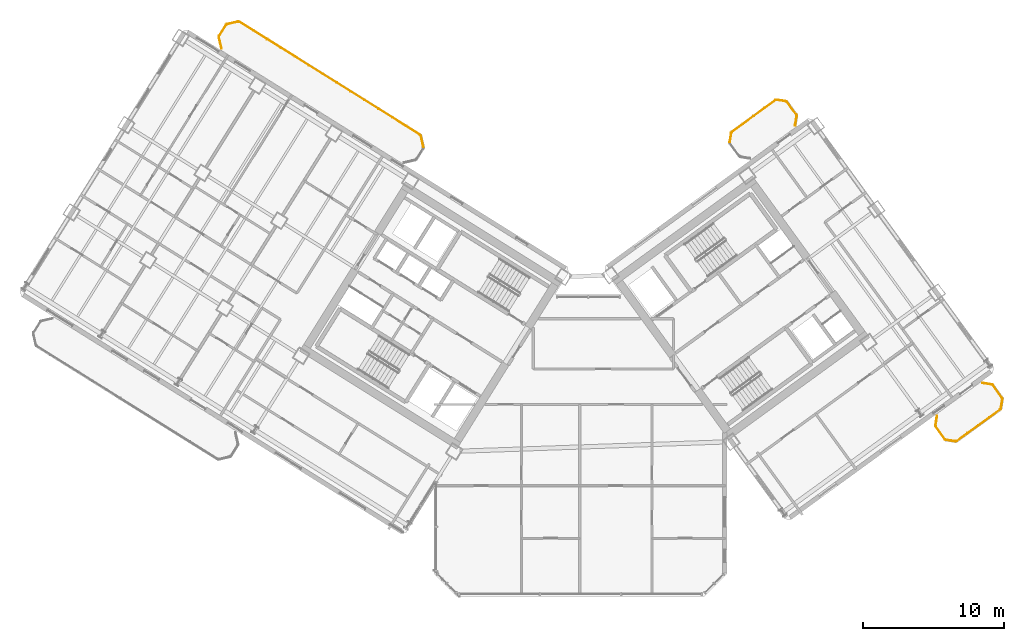
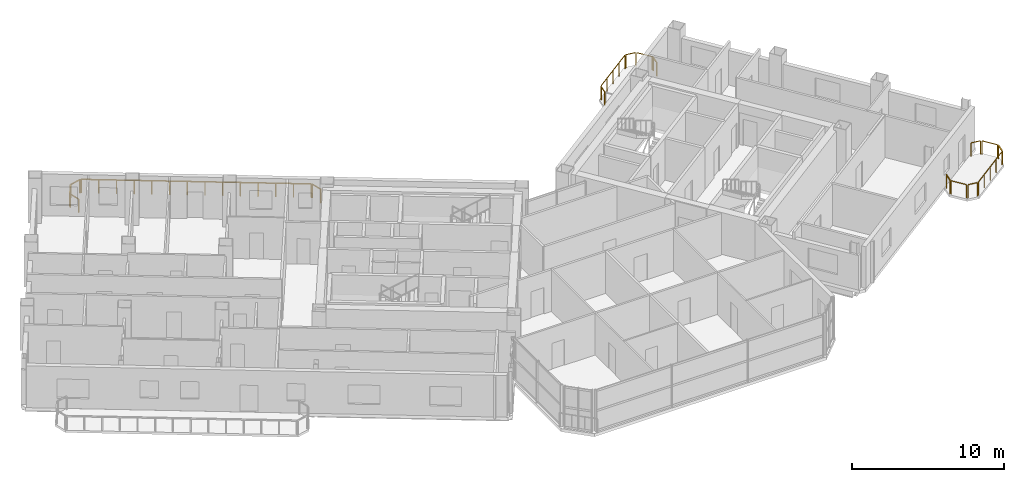
# One storey, part 25 of 25: 17 railings.
"""IFC4 building model written with IfcOpenShell, lengths in metres."""

import ifcopenshell
import ifcopenshell.guid

model = None  # the IFC model being written
_history = None  # IfcOwnerHistory: only IFC2X3 demands one
_inside = {}  # id of a spatial element -> (the spatial element, [elements in it])
_under = {}  # id of a project, library or spatial element -> (it, [spatial elements below it])
_declared = {}  # id of a project -> (the project, [libraries it declares])
_typed = {}  # id of a type object -> (the type object, [elements of that type])
_made_of = {}  # id of a material, layer set ... -> (it, [elements and type objects made of it])


def new_model(schema):
    """Start an empty IFC model of exactly this schema.

    Asked for "IFC4X3", IfcOpenShell would pick the latest addendum, in which some entities
    have other attributes; the version numbers below select the first issue.
    IFC2X3 requires an IfcOwnerHistory on every rooted entity: one is made here for all.
    """
    global model, _history
    if schema == "IFC4X3":
        model = ifcopenshell.file(schema_version=(4, 3, 0, 0))
    else:
        model = ifcopenshell.file(schema=schema)
    _inside.clear()
    _under.clear()
    _declared.clear()
    _typed.clear()
    _made_of.clear()
    _history = None
    if model.schema == "IFC2X3":
        org = make("IfcOrganization", Name="unknown")
        user = make(
            "IfcPersonAndOrganization",
            ThePerson=make("IfcPerson", FamilyName="unknown"),
            TheOrganization=org,
        )
        app = make(
            "IfcApplication",
            ApplicationDeveloper=org,
            Version="unknown",
            ApplicationFullName="unknown",
            ApplicationIdentifier="unknown",
        )
        _history = make(
            "IfcOwnerHistory",
            OwningUser=user,
            OwningApplication=app,
            ChangeAction="ADDED",
            CreationDate=0,
        )
    return model


def make(cls, **values):
    """One entity of the class cls with the attributes given. An attribute that is None is left unset."""
    return model.create_entity(
        cls, **{name: value for name, value in values.items() if value is not None}
    )


def rooted(cls, **values):
    """An entity with a GlobalId (a new one), such as an element, a storey or a relation."""
    return make(cls, GlobalId=ifcopenshell.guid.new(), OwnerHistory=_history, **values)


def si_unit(unit_type, name, prefix=None):
    """IfcSIUnit, for example si_unit("LENGTHUNIT", "METRE", prefix="MILLI")."""
    return make("IfcSIUnit", UnitType=unit_type, Prefix=prefix, Name=name)


def assignment(units):
    """IfcUnitAssignment: the units of a project."""
    return None if units is None else make("IfcUnitAssignment", Units=units)


def point(xyz):
    """IfcCartesianPoint."""
    return None if xyz is None else make("IfcCartesianPoint", Coordinates=xyz)


def direction(xyz):
    """IfcDirection."""
    return None if xyz is None else make("IfcDirection", DirectionRatios=xyz)


def frame(location, z_axis=None, x_axis=None):
    """IfcAxis2Placement3D, a coordinate frame: its origin and axes. An axis left out is left unset."""
    return make(
        "IfcAxis2Placement3D",
        Location=point(location),
        Axis=direction(z_axis),
        RefDirection=direction(x_axis),
    )


def frame_2d(location, x_axis=None):
    """IfcAxis2Placement2D, a coordinate frame in the plane: its origin and x axis."""
    return make(
        "IfcAxis2Placement2D", Location=point(location), RefDirection=direction(x_axis)
    )


def origin():
    """The frame at (0, 0, 0) with its axes left unset."""
    return frame((0.0, 0.0, 0.0))


def origin_2d():
    """The frame at (0, 0) in the plane with its x axis left unset."""
    return frame_2d((0.0, 0.0))


def place(relative_to, where):
    """IfcLocalPlacement: puts the frame where relative to a parent placement (None: the world)."""
    return make(
        "IfcLocalPlacement", PlacementRelTo=relative_to, RelativePlacement=where
    )


def context(
    kind, dimensions, precision=None, world=None, true_north=None, identifier=None
):
    """IfcGeometricRepresentationContext, for example the 3D "Model" context."""
    return make(
        "IfcGeometricRepresentationContext",
        ContextIdentifier=identifier,
        ContextType=kind,
        CoordinateSpaceDimension=dimensions,
        Precision=precision,
        WorldCoordinateSystem=world,
        TrueNorth=true_north,
    )


def subcontext(parent, identifier, kind, view, scale=None):
    """IfcGeometricRepresentationSubContext, for example "Body" below "Model"."""
    return make(
        "IfcGeometricRepresentationSubContext",
        ContextIdentifier=identifier,
        ContextType=kind,
        ParentContext=parent,
        TargetScale=scale,
        TargetView=view,
    )


def project(units=None, contexts=None):
    """IfcProject with its units and contexts."""
    return rooted(
        "IfcProject",
        Name="project",
        RepresentationContexts=contexts,
        UnitsInContext=assignment(units),
    )


def spatial(cls, under=None, at=None, **own):
    """A site, building, storey or space (cls), placed at a placement, below another one or the project."""
    s = rooted(cls, ObjectPlacement=at, **own)
    if under is not None:
        _under.setdefault(under.id(), (under, []))[1].append(s)
    return s


def profile(cls, at=None, kind="AREA", **sizes):
    """A parametric profile (cls). Its sizes go by their IFC names, for example OverallWidth=200.0."""
    return make(cls, ProfileType=kind, Position=at, **sizes)


def rectangle(**sizes):
    """IfcRectangleProfileDef."""
    return profile("IfcRectangleProfileDef", **sizes)


def extrude(swept, where, along, depth):
    """IfcExtrudedAreaSolid: the profile swept, set in the frame where, extruded along a direction by depth."""
    return make(
        "IfcExtrudedAreaSolid",
        SweptArea=swept,
        Position=where,
        ExtrudedDirection=direction(along),
        Depth=depth,
    )


def shape(context_of_items, identifier, shape_type, items):
    """IfcShapeRepresentation: the items that make up one representation, for example the "Body"."""
    return make(
        "IfcShapeRepresentation",
        ContextOfItems=context_of_items,
        RepresentationIdentifier=identifier,
        RepresentationType=shape_type,
        Items=items,
    )


def source(mapping_origin, context_of_items, identifier, shape_type, items):
    """IfcRepresentationMap: a shape defined once, which mapped items show again and again."""
    return make(
        "IfcRepresentationMap",
        MappingOrigin=mapping_origin,
        MappedRepresentation=shape(context_of_items, identifier, shape_type, items),
    )


def transform(
    local_origin,
    x_axis=None,
    y_axis=None,
    z_axis=None,
    scale=None,
    scale2=None,
    scale3=None,
    uniform=True,
):
    """IfcCartesianTransformationOperator3D, or its non-uniform kind. x_axis, y_axis, z_axis: its Axis1, 2, 3."""
    if uniform:
        return make(
            "IfcCartesianTransformationOperator3D",
            Axis1=direction(x_axis),
            Axis2=direction(y_axis),
            LocalOrigin=point(local_origin),
            Scale=scale,
            Axis3=direction(z_axis),
        )
    return make(
        "IfcCartesianTransformationOperator3DnonUniform",
        Axis1=direction(x_axis),
        Axis2=direction(y_axis),
        LocalOrigin=point(local_origin),
        Scale=scale,
        Axis3=direction(z_axis),
        Scale2=scale2,
        Scale3=scale3,
    )


def mapped(mapping_source, mapping_target):
    """IfcMappedItem: shows the shape of a source again, moved by a transform."""
    return make(
        "IfcMappedItem", MappingSource=mapping_source, MappingTarget=mapping_target
    )


def material(Name=None, Category=None):
    """IfcMaterial."""
    return make("IfcMaterial", Name=Name, Category=Category)


def made_of(thing, what):
    """Note that an element or type object is made of a material, layer set ...; save() writes the relation."""
    if what is not None:
        _made_of.setdefault(what.id(), (what, []))[1].append(thing)
    return thing


def type_object(cls, material=None, **own):
    """A type object (cls), such as IfcWallType, which elements share."""
    return made_of(rooted(cls, **own), material)


def element(
    cls,
    number,
    at=None,
    inside=None,
    cuts=None,
    type_object=None,
    material=None,
    context=None,
    identifier="Body",
    shape_type=None,
    held_by="IfcProductDefinitionShape",
    body=None,
    shapes=None,
    **own,
):
    """One element of the class cls, such as IfcWall. Its Tag is "e" and its number.

    at: its placement. inside: the storey or other place that contains it. cuts: it is an
    opening in that element (IfcRelVoidsElement). A single representation is given by context,
    identifier, shape_type and body (its items); several are given by shapes. held_by: the class
    of the entity that holds the representations. save() writes the other relations.
    """
    e = rooted(cls, Tag="e%d" % number, ObjectPlacement=at, **own)
    if body is not None:
        shapes = [shape(context, identifier, shape_type, body)]
    if shapes is not None:
        e.Representation = make(held_by, Representations=shapes)
    if inside is not None:
        _inside.setdefault(inside.id(), (inside, []))[1].append(e)
    if cuts is not None:
        rooted(
            "IfcRelVoidsElement", RelatingBuildingElement=cuts, RelatedOpeningElement=e
        )
    if type_object is not None:
        _typed.setdefault(type_object.id(), (type_object, []))[1].append(e)
    return made_of(e, material)


def aggregate(whole, parts):
    """IfcRelAggregates: a whole, such as a stair, and the parts it consists of."""
    return rooted("IfcRelAggregates", RelatingObject=whole, RelatedObjects=parts)


def save(model, path):
    """Write the relations noted so far, then the file.

    IfcRelAggregates (storeys below a building ...), IfcRelContainedInSpatialStructure (elements
    in a storey), IfcRelDefinesByType, IfcRelAssociatesMaterial and IfcRelDeclares: one each for
    every whole, place, type object, material and project.
    """
    for whole, parts in _under.values():
        aggregate(whole, parts)
    for where, things in _inside.values():
        rooted(
            "IfcRelContainedInSpatialStructure",
            RelatedElements=things,
            RelatingStructure=where,
        )
    for kind, things in _typed.values():
        rooted("IfcRelDefinesByType", RelatedObjects=things, RelatingType=kind)
    for what, things in _made_of.values():
        rooted("IfcRelAssociatesMaterial", RelatedObjects=things, RelatingMaterial=what)
    for by, libraries in _declared.values():
        rooted("IfcRelDeclares", RelatingContext=by, RelatedDefinitions=libraries)
    model.write(path)


model = new_model("IFC4")

# Units and contexts
model_context = context("Model", 3, precision=1e-05, world=origin(), true_north=direction((0.0, 1.0)))
body_context = subcontext(model_context, "Body", "Model", "MODEL_VIEW")
ifc_project = project(units=[si_unit("LENGTHUNIT", "METRE"), si_unit("AREAUNIT", "SQUARE_METRE"), si_unit("VOLUMEUNIT", "CUBIC_METRE"), si_unit("PLANEANGLEUNIT", "RADIAN"), si_unit("MASSUNIT", "GRAM", prefix="KILO")], contexts=[model_context])

# Site, building, storey
site_placement = place(None, origin())
site = spatial("IfcSite", under=ifc_project, at=site_placement, CompositionType="ELEMENT")
building_placement = place(site_placement, origin())
building = spatial("IfcBuilding", under=site, at=building_placement, Name="Tlacorven Tower", CompositionType="ELEMENT")
storey_placement = place(building_placement, frame((0.0, 0.0, 155.10009765625)))
storey = spatial("IfcBuildingStorey", under=building, at=storey_placement, Name="L39", CompositionType="ELEMENT", Elevation=155.10009765625)

# Railings
ifc_material = material(Name="Aluminium and painted steel balustrade", Category="steel")
railing_type = type_object("IfcRailingType", Name="RL-BAL-1100", PredefinedType="BALUSTRADE", material=ifc_material)
shared_shape_1 = source(origin(), body_context, "Body", "SweptSolid", [
    extrude(rectangle(XDim=0.048095703125, YDim=0.048095703125, at=origin_2d()), frame((0.0, 0.0, 1.076171875), z_axis=(0.225058334816, -0.974345290916, 0.0), x_axis=(0.974345290916, 0.225058334816, 0.0)), (0.0, 0.0, 1.0), 0.80712890625),
    extrude(rectangle(XDim=0.0419921875, YDim=0.0419921875, at=origin_2d()), origin(), (0.0, 0.0, 1.0), 1.052001953125),
    extrude(rectangle(XDim=0.0419921875, YDim=0.0419921875, at=origin_2d()), frame((0.181640625, -0.786376953125, 0.0)), (0.0, 0.0, 1.0), 1.052001953125),
])
railing_1_placement = place(storey_placement, frame((30.6796875, 34.466064453125, 0.0)))
element("IfcRailing", 1, at=railing_1_placement, inside=storey, type_object=railing_type, Name="BAL-L39-W-IN Guard Railing 1", PredefinedType="BALUSTRADE", context=body_context, shape_type="MappedRepresentation", body=[
    mapped(shared_shape_1, transform((0.0, 0.0, 0.0), scale=1.0)),
])
shared_shape_2 = source(origin(), body_context, "Body", "SweptSolid", [
    extrude(rectangle(XDim=0.048095703125, YDim=0.048095703125, at=origin_2d()), frame((0.0, 0.0, 1.076171875), z_axis=(-0.225058334816, 0.974345290916, 0.0), x_axis=(-0.974345290916, -0.225058334816, 0.0)), (0.0, 0.0, 1.0), 0.80712890625),
    extrude(rectangle(XDim=0.0419921875, YDim=0.0419921875, at=origin_2d()), origin(), (0.0, 0.0, 1.0), 1.052001953125),
    extrude(rectangle(XDim=0.0419921875, YDim=0.0419921875, at=origin_2d()), frame((-0.181640625, 0.786376953125, 0.0)), (0.0, 0.0, 1.0), 1.052001953125),
])
railing_2_placement = place(storey_placement, frame((16.5361328125, 40.68115234375, 0.0)))
element("IfcRailing", 2, at=railing_2_placement, inside=storey, type_object=railing_type, Name="BAL-L39-W-IN Guard Railing 4", PredefinedType="BALUSTRADE", context=body_context, shape_type="MappedRepresentation", body=[
    mapped(shared_shape_2, transform((0.0, 0.0, 0.0), scale=1.0)),
])
shared_shape_3 = source(origin(), body_context, "Body", "SweptSolid", [
    extrude(rectangle(XDim=0.048095703125, YDim=0.048095703125, at=origin_2d()), frame((0.0, 0.0, 1.076171875), z_axis=(0.52987865805, 0.848073468364, 0.0), x_axis=(-0.848073468364, 0.52987865805, 0.0)), (0.0, 0.0, 1.0), 0.912353515625),
    extrude(rectangle(XDim=0.0419921875, YDim=0.0419921875, at=origin_2d()), origin(), (0.0, 0.0, 1.0), 1.052001953125),
    extrude(rectangle(XDim=0.0419921875, YDim=0.0419921875, at=origin_2d()), frame((0.4833984375, 0.773681640625, 0.0)), (0.0, 0.0, 1.0), 1.052001953125),
])
railing_3_placement = place(storey_placement, frame((16.369873046875, 41.55859375, 0.0)))
element("IfcRailing", 3, at=railing_3_placement, inside=storey, type_object=railing_type, Name="BAL-L39-W-IN Guard Railing 5", PredefinedType="BALUSTRADE", context=body_context, shape_type="MappedRepresentation", body=[
    mapped(shared_shape_3, transform((0.0, 0.0, 0.0), scale=1.0)),
])
shared_shape_4 = source(origin(), body_context, "Body", "SweptSolid", [
    extrude(rectangle(XDim=0.048095703125, YDim=0.048095703125, at=origin_2d()), frame((0.0, 0.0, 1.076171875), z_axis=(0.974411586182, 0.224771129628, 0.0), x_axis=(-0.224771129628, 0.974411586182, 0.0)), (0.0, 0.0, 1.0), 0.80712890625),
    extrude(rectangle(XDim=0.0419921875, YDim=0.0419921875, at=origin_2d()), origin(), (0.0, 0.0, 1.0), 1.052001953125),
    extrude(rectangle(XDim=0.0419921875, YDim=0.0419921875, at=origin_2d()), frame((0.786376953125, 0.181396484375, 0.0)), (0.0, 0.0, 1.0), 1.052001953125),
])
railing_4_placement = place(storey_placement, frame((16.928466796875, 42.385986328125, 0.0)))
element("IfcRailing", 4, at=railing_4_placement, inside=storey, type_object=railing_type, Name="BAL-L39-W-IN Guard Railing 6", PredefinedType="BALUSTRADE", context=body_context, shape_type="MappedRepresentation", body=[
    mapped(shared_shape_4, transform((0.0, 0.0, 0.0), scale=1.0)),
])
shared_shape_5 = source(origin(), body_context, "Body", "SweptSolid", [
    extrude(rectangle(XDim=0.048095703125, YDim=0.048095703125, at=origin_2d()), frame((0.0, 0.0, 1.076171875), z_axis=(0.848044572804, -0.529924902733, 0.0), x_axis=(0.529924902733, 0.848044572804, 0.0)), (0.0, 0.0, 1.0), 15.1171875),
    extrude(rectangle(XDim=0.0419921875, YDim=0.0419921875, at=origin_2d()), origin(), (0.0, 0.0, 1.0), 1.052001953125),
    extrude(rectangle(XDim=0.0419921875, YDim=0.0419921875, at=origin_2d()), frame((0.986083984375, -0.6162109375, 0.0)), (0.0, 0.0, 1.0), 1.052001953125),
    extrude(rectangle(XDim=0.0419921875, YDim=0.0419921875, at=origin_2d()), frame((1.972412109375, -1.232421875, 0.0)), (0.0, 0.0, 1.0), 1.052001953125),
    extrude(rectangle(XDim=0.0419921875, YDim=0.0419921875, at=origin_2d()), frame((2.95849609375, -1.8486328125, 0.0)), (0.0, 0.0, 1.0), 1.052001953125),
    extrude(rectangle(XDim=0.0419921875, YDim=0.0419921875, at=origin_2d()), frame((3.944580078125, -2.46484375, 0.0)), (0.0, 0.0, 1.0), 1.052001953125),
    extrude(rectangle(XDim=0.0419921875, YDim=0.0419921875, at=origin_2d()), frame((4.930908203125, -3.0810546875, 0.0)), (0.0, 0.0, 1.0), 1.052001953125),
    extrude(rectangle(XDim=0.0419921875, YDim=0.0419921875, at=origin_2d()), frame((5.9169921875, -3.697265625, 0.0)), (0.0, 0.0, 1.0), 1.052001953125),
    extrude(rectangle(XDim=0.0419921875, YDim=0.0419921875, at=origin_2d()), frame((6.903076171875, -4.313720703125, 0.0)), (0.0, 0.0, 1.0), 1.052001953125),
    extrude(rectangle(XDim=0.0419921875, YDim=0.0419921875, at=origin_2d()), frame((7.88916015625, -4.929931640625, 0.0)), (0.0, 0.0, 1.0), 1.052001953125),
    extrude(rectangle(XDim=0.0419921875, YDim=0.0419921875, at=origin_2d()), frame((8.87548828125, -5.546142578125, 0.0)), (0.0, 0.0, 1.0), 1.052001953125),
    extrude(rectangle(XDim=0.0419921875, YDim=0.0419921875, at=origin_2d()), frame((9.861572265625, -6.162353515625, 0.0)), (0.0, 0.0, 1.0), 1.052001953125),
    extrude(rectangle(XDim=0.0419921875, YDim=0.0419921875, at=origin_2d()), frame((10.84765625, -6.778564453125, 0.0)), (0.0, 0.0, 1.0), 1.052001953125),
    extrude(rectangle(XDim=0.0419921875, YDim=0.0419921875, at=origin_2d()), frame((11.833984375, -7.394775390625, 0.0)), (0.0, 0.0, 1.0), 1.052001953125),
    extrude(rectangle(XDim=0.0419921875, YDim=0.0419921875, at=origin_2d()), frame((12.820068359375, -8.010986328125, 0.0)), (0.0, 0.0, 1.0), 1.052001953125),
])
railing_5_placement = place(storey_placement, frame((17.805908203125, 42.55224609375, 0.0)))
element("IfcRailing", 5, at=railing_5_placement, inside=storey, type_object=railing_type, Name="BAL-L39-W-IN Guard Railing 7", PredefinedType="BALUSTRADE", context=body_context, shape_type="MappedRepresentation", body=[
    mapped(shared_shape_5, transform((0.0, 0.0, 0.0), scale=1.0)),
])
shared_shape_6 = source(origin(), body_context, "Body", "SweptSolid", [
    extrude(rectangle(XDim=0.048095703125, YDim=0.048095703125, at=origin_2d()), frame((0.0, 0.0, 1.076171875), z_axis=(-0.987661653326, 0.156602868908, 0.0), x_axis=(-0.156602868908, -0.987661653326, 0.0)), (0.0, 0.0, 1.0), 0.665771484375),
    extrude(rectangle(XDim=0.0419921875, YDim=0.0419921875, at=origin_2d()), origin(), (0.0, 0.0, 1.0), 1.052001953125),
    extrude(rectangle(XDim=0.0419921875, YDim=0.0419921875, at=origin_2d()), frame((-0.657470703125, 0.104248046875, 0.0)), (0.0, 0.0, 1.0), 1.052001953125),
])
railing_6_placement = place(storey_placement, frame((68.59521484375, 12.7919921875, 0.0)))
element("IfcRailing", 6, at=railing_6_placement, inside=storey, type_object=railing_type, Name="BAL-L39-E-OUT Guard Railing 1", PredefinedType="BALUSTRADE", context=body_context, shape_type="MappedRepresentation", body=[
    mapped(shared_shape_6, transform((0.0, 0.0, 0.0), scale=1.0)),
])
shared_shape_7 = source(origin(), body_context, "Body", "SweptSolid", [
    extrude(rectangle(XDim=0.048095703125, YDim=0.048095703125, at=origin_2d()), frame((0.0, 0.0, 1.076171875), z_axis=(-0.58788449985, 0.808944877501, 0.0), x_axis=(-0.808944877501, -0.58788449985, 0.0)), (0.0, 0.0, 1.0), 1.112060546875),
    extrude(rectangle(XDim=0.0419921875, YDim=0.0419921875, at=origin_2d()), origin(), (0.0, 0.0, 1.0), 1.052001953125),
    extrude(rectangle(XDim=0.0419921875, YDim=0.0419921875, at=origin_2d()), frame((-0.65380859375, 0.899658203125, 0.0)), (0.0, 0.0, 1.0), 1.052001953125),
])
railing_7_placement = place(storey_placement, frame((67.85888671875, 12.944580078125, 0.0)))
element("IfcRailing", 7, at=railing_7_placement, inside=storey, type_object=railing_type, Name="BAL-L39-E-OUT Guard Railing 2", PredefinedType="BALUSTRADE", context=body_context, shape_type="MappedRepresentation", body=[
    mapped(shared_shape_7, transform((0.0, 0.0, 0.0), scale=1.0)),
])
shared_shape_8 = source(origin(), body_context, "Body", "SweptSolid", [
    extrude(rectangle(XDim=0.048095703125, YDim=0.048095703125, at=origin_2d()), frame((0.0, 0.0, 1.076171875), z_axis=(0.156602868908, 0.987661653326, 0.0), x_axis=(-0.987661653326, 0.156602868908, 0.0)), (0.0, 0.0, 1.0), 0.665771484375),
    extrude(rectangle(XDim=0.0419921875, YDim=0.0419921875, at=origin_2d()), origin(), (0.0, 0.0, 1.0), 1.052001953125),
    extrude(rectangle(XDim=0.0419921875, YDim=0.0419921875, at=origin_2d()), frame((0.104248046875, 0.657470703125, 0.0)), (0.0, 0.0, 1.0), 1.052001953125),
])
railing_8_placement = place(storey_placement, frame((67.18359375, 13.93408203125, 0.0)))
element("IfcRailing", 8, at=railing_8_placement, inside=storey, type_object=railing_type, Name="BAL-L39-E-OUT Guard Railing 3", PredefinedType="BALUSTRADE", context=body_context, shape_type="MappedRepresentation", body=[
    mapped(shared_shape_8, transform((0.0, 0.0, 0.0), scale=1.0)),
])
shared_shape_9 = source(origin(), body_context, "Body", "SweptSolid", [
    extrude(rectangle(XDim=0.048095703125, YDim=0.048095703125, at=origin_2d()), frame((0.0, 0.0, 1.076171875), z_axis=(0.987718317463, -0.156245081039, 0.0), x_axis=(0.156245081039, 0.987718317463, 0.0)), (0.0, 0.0, 1.0), 0.66552734375),
    extrude(rectangle(XDim=0.0419921875, YDim=0.0419921875, at=origin_2d()), origin(), (0.0, 0.0, 1.0), 1.052001953125),
    extrude(rectangle(XDim=0.0419921875, YDim=0.0419921875, at=origin_2d()), frame((0.657470703125, -0.10400390625, 0.0)), (0.0, 0.0, 1.0), 1.052001953125),
])
railing_9_placement = place(storey_placement, frame((70.513916015625, 16.935546875, 0.0)))
element("IfcRailing", 9, at=railing_9_placement, inside=storey, type_object=railing_type, Name="BAL-L39-E-OUT Guard Railing 4", PredefinedType="BALUSTRADE", context=body_context, shape_type="MappedRepresentation", body=[
    mapped(shared_shape_9, transform((0.0, 0.0, 0.0), scale=1.0)),
])
shared_shape_10 = source(origin(), body_context, "Body", "SweptSolid", [
    extrude(rectangle(XDim=0.048095703125, YDim=0.048095703125, at=origin_2d()), frame((0.0, 0.0, 1.076171875), z_axis=(0.58788449985, -0.808944877501, 0.0), x_axis=(0.808944877501, 0.58788449985, 0.0)), (0.0, 0.0, 1.0), 1.112060546875),
    extrude(rectangle(XDim=0.0419921875, YDim=0.0419921875, at=origin_2d()), origin(), (0.0, 0.0, 1.0), 1.052001953125),
    extrude(rectangle(XDim=0.0419921875, YDim=0.0419921875, at=origin_2d()), frame((0.65380859375, -0.899658203125, 0.0)), (0.0, 0.0, 1.0), 1.052001953125),
])
for number, where, name in (
    (10, (71.250244140625, 16.783203125, 0.0), "BAL-L39-E-OUT Guard Railing 5"),
    (11, (56.658447265625, 36.866943359375, 0.0), "BAL-L39-E-IN Guard Railing 6"),
):
    element("IfcRailing", number, at=place(storey_placement, frame(where)), inside=storey, type_object=railing_type, Name=name, PredefinedType="BALUSTRADE", context=body_context, shape_type="MappedRepresentation", body=[
        mapped(shared_shape_10, transform((0.0, 0.0, 0.0), scale=1.0)),
    ])
shared_shape_11 = source(origin(), body_context, "Body", "SweptSolid", [
    extrude(rectangle(XDim=0.048095703125, YDim=0.048095703125, at=origin_2d()), frame((0.0, 0.0, 1.076171875), z_axis=(-0.156188498702, -0.987727266442, 0.0), x_axis=(0.987727266442, -0.156188498702, 0.0)), (0.0, 0.0, 1.0), 0.665771484375),
    extrude(rectangle(XDim=0.0419921875, YDim=0.0419921875, at=origin_2d()), origin(), (0.0, 0.0, 1.0), 1.052001953125),
    extrude(rectangle(XDim=0.0419921875, YDim=0.0419921875, at=origin_2d()), frame((-0.10400390625, -0.65771484375, 0.0)), (0.0, 0.0, 1.0), 1.052001953125),
])
railing_10_placement = place(storey_placement, frame((71.925537109375, 15.793701171875, 0.0)))
element("IfcRailing", 12, at=railing_10_placement, inside=storey, type_object=railing_type, Name="BAL-L39-E-OUT Guard Railing 6", PredefinedType="BALUSTRADE", context=body_context, shape_type="MappedRepresentation", body=[
    mapped(shared_shape_11, transform((0.0, 0.0, 0.0), scale=1.0)),
])
shared_shape_12 = source(origin(), body_context, "Body", "SweptSolid", [
    extrude(rectangle(XDim=0.048095703125, YDim=0.048095703125, at=origin_2d()), frame((0.0, 0.0, 1.076171875), z_axis=(-0.809018102573, -0.587783726986, 0.0), x_axis=(0.587783726986, -0.809018102573, 0.0)), (0.0, 0.0, 1.0), 3.817138671875),
    extrude(rectangle(XDim=0.0419921875, YDim=0.0419921875, at=origin_2d()), origin(), (0.0, 0.0, 1.0), 1.052001953125),
    extrude(rectangle(XDim=0.0419921875, YDim=0.0419921875, at=origin_2d()), frame((-0.77197265625, -0.56103515625, 0.0)), (0.0, 0.0, 1.0), 1.052001953125),
    extrude(rectangle(XDim=0.0419921875, YDim=0.0419921875, at=origin_2d()), frame((-1.5439453125, -1.121826171875, 0.0)), (0.0, 0.0, 1.0), 1.052001953125),
    extrude(rectangle(XDim=0.0419921875, YDim=0.0419921875, at=origin_2d()), frame((-2.316162109375, -1.6826171875, 0.0)), (0.0, 0.0, 1.0), 1.052001953125),
    extrude(rectangle(XDim=0.0419921875, YDim=0.0419921875, at=origin_2d()), frame((-3.088134765625, -2.24365234375, 0.0)), (0.0, 0.0, 1.0), 1.052001953125),
])
railing_11_placement = place(storey_placement, frame((71.773193359375, 15.057373046875, 0.0)))
element("IfcRailing", 13, at=railing_11_placement, inside=storey, type_object=railing_type, Name="BAL-L39-E-OUT Guard Railing 7", PredefinedType="BALUSTRADE", context=body_context, shape_type="MappedRepresentation", body=[
    mapped(shared_shape_12, transform((0.0, 0.0, 0.0), scale=1.0)),
])
shared_shape_13 = source(origin(), body_context, "Body", "SweptSolid", [
    extrude(rectangle(XDim=0.048095703125, YDim=0.048095703125, at=origin_2d()), frame((0.0, 0.0, 1.076171875), z_axis=(0.156546163506, 0.987670642822, 0.0), x_axis=(-0.987670642822, 0.156546163506, 0.0)), (0.0, 0.0, 1.0), 0.666015625),
    extrude(rectangle(XDim=0.0419921875, YDim=0.0419921875, at=origin_2d()), origin(), (0.0, 0.0, 1.0), 1.052001953125),
    extrude(rectangle(XDim=0.0419921875, YDim=0.0419921875, at=origin_2d()), frame((0.104248046875, 0.65771484375, 0.0)), (0.0, 0.0, 1.0), 1.052001953125),
])
railing_12_placement = place(storey_placement, frame((52.591796875, 34.017822265625, 0.0)))
element("IfcRailing", 14, at=railing_12_placement, inside=storey, type_object=railing_type, Name="BAL-L39-E-IN Guard Railing 3", PredefinedType="BALUSTRADE", context=body_context, shape_type="MappedRepresentation", body=[
    mapped(shared_shape_13, transform((0.0, 0.0, 0.0), scale=1.0)),
])
shared_shape_14 = source(origin(), body_context, "Body", "SweptSolid", [
    extrude(rectangle(XDim=0.048095703125, YDim=0.048095703125, at=origin_2d()), frame((0.0, 0.0, 1.076171875), z_axis=(0.809040198054, 0.587753313843, 0.0), x_axis=(-0.587753313843, 0.809040198054, 0.0)), (0.0, 0.0, 1.0), 3.8173828125),
    extrude(rectangle(XDim=0.0419921875, YDim=0.0419921875, at=origin_2d()), origin(), (0.0, 0.0, 1.0), 1.052001953125),
    extrude(rectangle(XDim=0.0419921875, YDim=0.0419921875, at=origin_2d()), frame((0.77197265625, 0.56103515625, 0.0)), (0.0, 0.0, 1.0), 1.052001953125),
    extrude(rectangle(XDim=0.0419921875, YDim=0.0419921875, at=origin_2d()), frame((1.544189453125, 1.121826171875, 0.0)), (0.0, 0.0, 1.0), 1.052001953125),
    extrude(rectangle(XDim=0.0419921875, YDim=0.0419921875, at=origin_2d()), frame((2.31640625, 1.6826171875, 0.0)), (0.0, 0.0, 1.0), 1.052001953125),
    extrude(rectangle(XDim=0.0419921875, YDim=0.0419921875, at=origin_2d()), frame((3.08837890625, 2.24365234375, 0.0)), (0.0, 0.0, 1.0), 1.052001953125),
])
railing_13_placement = place(storey_placement, frame((52.744140625, 34.754150390625, 0.0)))
element("IfcRailing", 15, at=railing_13_placement, inside=storey, type_object=railing_type, Name="BAL-L39-E-IN Guard Railing 4", PredefinedType="BALUSTRADE", context=body_context, shape_type="MappedRepresentation", body=[
    mapped(shared_shape_14, transform((0.0, 0.0, 0.0), scale=1.0)),
])
shared_shape_15 = source(origin(), body_context, "Body", "SweptSolid", [
    extrude(rectangle(XDim=0.048095703125, YDim=0.048095703125, at=origin_2d()), frame((0.0, 0.0, 1.076171875), z_axis=(0.987670642822, -0.156546163506, 0.0), x_axis=(0.156546163506, 0.987670642822, 0.0)), (0.0, 0.0, 1.0), 0.666015625),
    extrude(rectangle(XDim=0.0419921875, YDim=0.0419921875, at=origin_2d()), origin(), (0.0, 0.0, 1.0), 1.052001953125),
    extrude(rectangle(XDim=0.0419921875, YDim=0.0419921875, at=origin_2d()), frame((0.65771484375, -0.104248046875, 0.0)), (0.0, 0.0, 1.0), 1.052001953125),
])
railing_14_placement = place(storey_placement, frame((55.922119140625, 37.01953125, 0.0)))
element("IfcRailing", 16, at=railing_14_placement, inside=storey, type_object=railing_type, Name="BAL-L39-E-IN Guard Railing 5", PredefinedType="BALUSTRADE", context=body_context, shape_type="MappedRepresentation", body=[
    mapped(shared_shape_15, transform((0.0, 0.0, 0.0), scale=1.0)),
])
shared_shape_16 = source(origin(), body_context, "Body", "SweptSolid", [
    extrude(rectangle(XDim=0.048095703125, YDim=0.048095703125, at=origin_2d()), frame((0.0, 0.0, 1.076171875), z_axis=(-0.156245081039, -0.987718317463, 0.0), x_axis=(0.987718317463, -0.156245081039, 0.0)), (0.0, 0.0, 1.0), 0.66552734375),
    extrude(rectangle(XDim=0.0419921875, YDim=0.0419921875, at=origin_2d()), origin(), (0.0, 0.0, 1.0), 1.052001953125),
    extrude(rectangle(XDim=0.0419921875, YDim=0.0419921875, at=origin_2d()), frame((-0.10400390625, -0.657470703125, 0.0)), (0.0, 0.0, 1.0), 1.052001953125),
])
railing_15_placement = place(storey_placement, frame((57.333740234375, 35.87744140625, 0.0)))
element("IfcRailing", 17, at=railing_15_placement, inside=storey, type_object=railing_type, Name="BAL-L39-E-IN Guard Railing 7", PredefinedType="BALUSTRADE", context=body_context, shape_type="MappedRepresentation", body=[
    mapped(shared_shape_16, transform((0.0, 0.0, 0.0), scale=1.0)),
])

save(model, "model.ifc")
